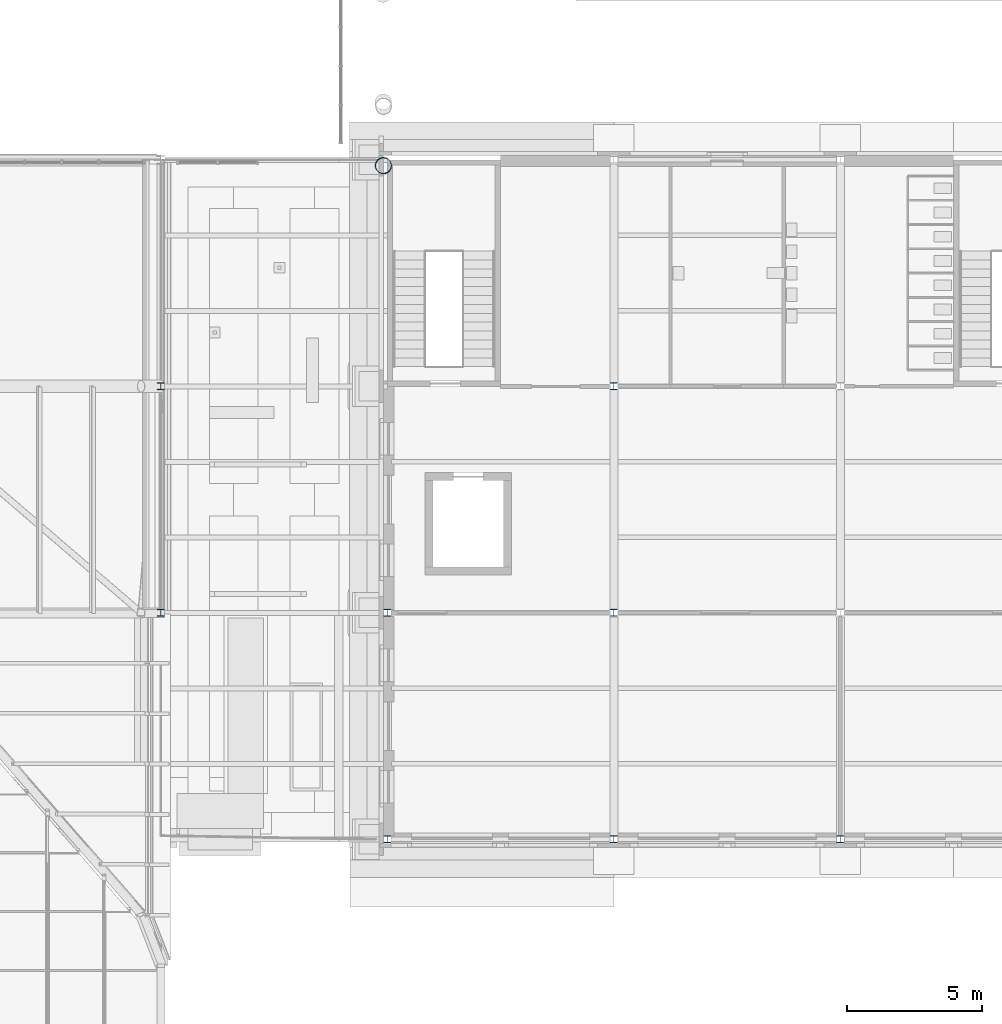
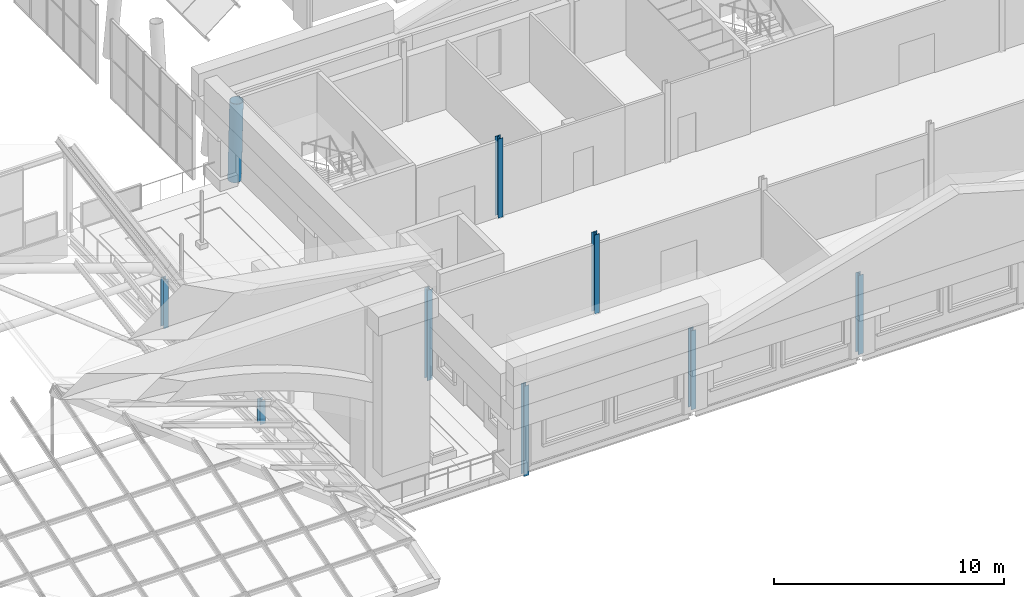
# One storey, part 5 of 76: 9 columns.
"""IFC4 building model written with IfcOpenShell, lengths in metres."""

from ifc_helpers import new_model, si_unit, direction, frame, origin, origin_2d, place, context, subcontext, project, spatial, hollow_circle, i_section, extrude, material, material_profile, profile_set, type_object, element, save


model = new_model("IFC4")

# Units and contexts
model_context = context("Model", 3, precision=1e-05, world=origin(), true_north=direction((0.0, 1.0)))
body_context = subcontext(model_context, "Body", "Model", "MODEL_VIEW")
ifc_project = project(units=[si_unit("LENGTHUNIT", "METRE"), si_unit("AREAUNIT", "SQUARE_METRE"), si_unit("VOLUMEUNIT", "CUBIC_METRE"), si_unit("PLANEANGLEUNIT", "RADIAN"), si_unit("MASSUNIT", "GRAM", prefix="KILO")], contexts=[model_context])

# Site, building, storey
site_placement = place(None, origin())
site = spatial("IfcSite", under=ifc_project, at=site_placement, CompositionType="ELEMENT")
building_placement = place(site_placement, origin())
building = spatial("IfcBuilding", under=site, at=building_placement, Name="Sava Quay Ferry Terminal", CompositionType="ELEMENT")
storey_placement = place(building_placement, frame((0.0, 0.0, 10.800048828125)))
storey = spatial("IfcBuildingStorey", under=building, at=storey_placement, Name="L02", CompositionType="ELEMENT", Elevation=10.800048828125)

# Columns
ifc_material_1 = material(Name="Steel S355", Category="steel")
ifc_material_profile_1 = material_profile(ifc_material_1, i_section(OverallWidth=0.260009765625, OverallDepth=0.260009765625, WebThickness=0.010009765625, FlangeThickness=0.017578125, at=origin_2d()), Name="HE 260 B")
ifc_profile_set_1 = profile_set([ifc_material_profile_1], Name="Steel S355")
column_type_1 = type_object("IfcColumnType", Name="Column HE 260 B", PredefinedType="COLUMN", material=ifc_profile_set_1)
column_1_placement = place(storey_placement, frame((75.60009765625, 33.60009765625, 0.0), z_axis=(0.0, 0.0, 1.0), x_axis=(1.0, 0.0, 0.0)))
element("IfcColumn", 1, at=column_1_placement, inside=storey, type_object=column_type_1, Name="Column L02 75.6/33.6", PredefinedType="COLUMN", context=body_context, shape_type="SweptSolid", body=[
    extrude(i_section(OverallWidth=0.260009765625, OverallDepth=0.260009765625, WebThickness=0.010009765625, FlangeThickness=0.017578125, at=origin_2d()), origin(), (0.0, 0.0, 1.0), 1.237548828125),
])
column_2_placement = place(storey_placement, frame((75.60009765625, 42.0, 0.0), z_axis=(0.0, 0.0, 1.0), x_axis=(1.0, 0.0, 0.0)))
element("IfcColumn", 2, at=column_2_placement, inside=storey, type_object=column_type_1, Name="Column L02 75.6/42", PredefinedType="COLUMN", context=body_context, shape_type="SweptSolid", body=[
    extrude(i_section(OverallWidth=0.260009765625, OverallDepth=0.260009765625, WebThickness=0.010009765625, FlangeThickness=0.017578125, at=origin_2d()), origin(), (0.0, 0.0, 1.0), 2.58642578125),
])
for number, where, z_axis, x_axis, name in (
    (3, (84.0, 25.199951171875, -0.60009765625), (0.0, 0.0, 1.0), (1.0, 0.0, 0.0), "Column L02 84/25.2"),
    (4, (84.0, 33.60009765625, -0.60009765625), (0.0, 0.0, 1.0), (1.0, 0.0, 0.0), "Column L02 84/33.6"),
):
    element("IfcColumn", number, at=place(storey_placement, frame(where, z_axis=z_axis, x_axis=x_axis)), inside=storey, type_object=column_type_1, Name=name, PredefinedType="COLUMN", context=body_context, shape_type="SweptSolid", body=[
        extrude(i_section(OverallWidth=0.260009765625, OverallDepth=0.260009765625, WebThickness=0.010009765625, FlangeThickness=0.017578125, at=origin_2d()), origin(), (0.0, 0.0, 1.0), 4.800048828125),
    ])
for number, where, z_axis, x_axis, name in (
    (5, (92.39990234375, 25.199951171875, 0.0), (0.0, 0.0, 1.0), (1.0, 0.0, 0.0), "Column L02 92.4/25.2"),
    (6, (92.39990234375, 33.60009765625, 0.0), (0.0, 0.0, 1.0), (1.0, 0.0, 0.0), "Column L02 92.4/33.6"),
    (7, (92.39990234375, 42.0, 0.0), (0.0, 0.0, 1.0), (1.0, 0.0, 0.0), "Column L02 92.4/42"),
    (8, (100.800048828125, 25.199951171875, 0.0), (0.0, 0.0, 1.0), (1.0, 0.0, 0.0), "Column L02 100.8/25.2"),
):
    element("IfcColumn", number, at=place(storey_placement, frame(where, z_axis=z_axis, x_axis=x_axis)), inside=storey, type_object=column_type_1, Name=name, PredefinedType="COLUMN", context=body_context, shape_type="SweptSolid", body=[
        extrude(i_section(OverallWidth=0.260009765625, OverallDepth=0.260009765625, WebThickness=0.010009765625, FlangeThickness=0.017578125, at=origin_2d()), origin(), (0.0, 0.0, 1.0), 4.199951171875),
    ])
ifc_material_2 = material(Name="Steel S355", Category="steel")
ifc_material_profile_2 = material_profile(ifc_material_2, hollow_circle(Radius=0.304931640625, WallThickness=0.02001953125, at=origin_2d()), Name="CHS 610 x 20.0")
ifc_profile_set_2 = profile_set([ifc_material_profile_2], Name="Steel S355")
column_type_2 = type_object("IfcColumnType", Name="V column CHS 610x20", PredefinedType="COLUMN", material=ifc_profile_set_2)
column_3_placement = place(storey_placement, frame((83.84716796875, 50.1953125, 0.0), z_axis=(0.012146421791, -0.016853886696, 0.999784182182), x_axis=(0.81126895419, 0.584673142847, 0.0)))
element("IfcColumn", 9, at=column_3_placement, inside=storey, type_object=column_type_2, Name="Departure hall V column D-VR0a part 3", PredefinedType="COLUMN", context=body_context, shape_type="SweptSolid", body=[
    extrude(hollow_circle(Radius=0.304931640625, WallThickness=0.02001953125, at=origin_2d()), origin(), (0.0, 0.0, 1.0), 4.200927734375),
])

save(model, "model.ifc")
